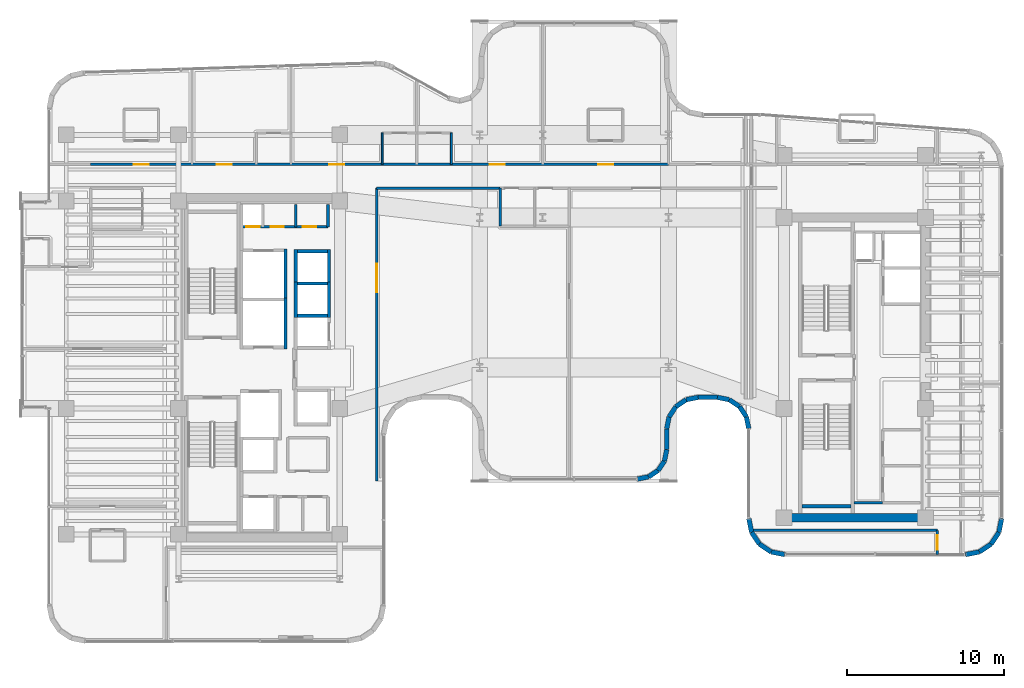
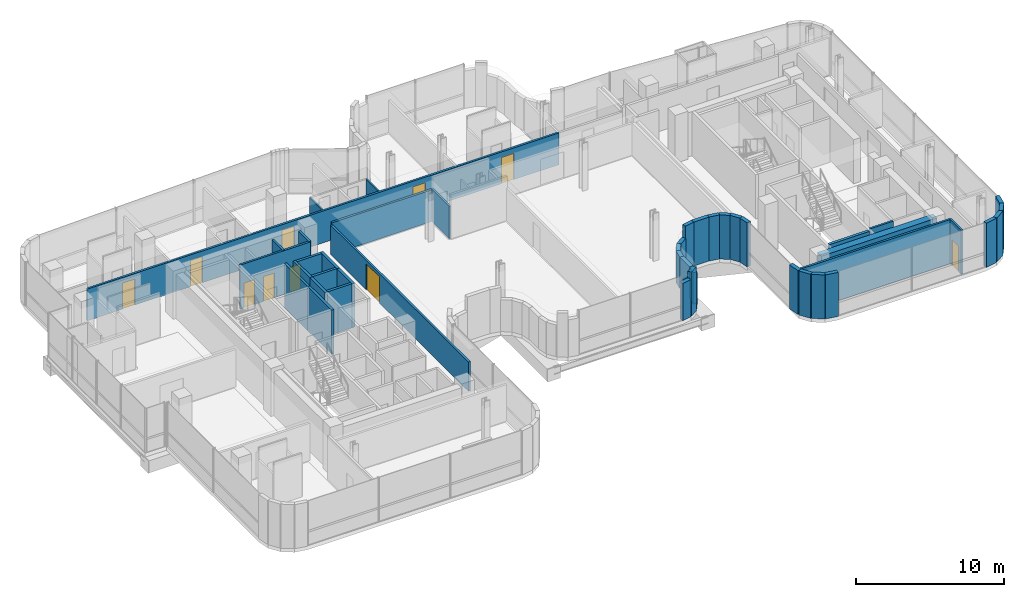
# One storey, part 28 of 36: 45 walls, 10 doors, 10 openings.
"""IFC4 building model written with IfcOpenShell, lengths in metres."""

from ifc_helpers import new_model, si_unit, direction, frame, frame_2d, origin, place, context, subcontext, project, spatial, rectangle, extrude, material, layer, layer_set, type_object, element, fill, save


model = new_model("IFC4")

# Units and contexts
model_context = context("Model", 3, precision=1e-05, world=origin(), true_north=direction((0.0, 1.0)))
body_context = subcontext(model_context, "Body", "Model", "MODEL_VIEW")
ifc_project = project(units=[si_unit("LENGTHUNIT", "METRE"), si_unit("AREAUNIT", "SQUARE_METRE"), si_unit("VOLUMEUNIT", "CUBIC_METRE"), si_unit("PLANEANGLEUNIT", "RADIAN"), si_unit("MASSUNIT", "GRAM", prefix="KILO")], contexts=[model_context])

# Site, building, storey
site_placement = place(None, origin())
site = spatial("IfcSite", under=ifc_project, at=site_placement, CompositionType="ELEMENT")
building_placement = place(site_placement, origin())
building = spatial("IfcBuilding", under=site, at=building_placement, Name="Valdorenza Pilgrim Sanctuary Tower", CompositionType="ELEMENT")
storey_placement = place(building_placement, frame((0.0, 0.0, 176.550048828125)))
storey = spatial("IfcBuildingStorey", under=building, at=storey_placement, Name="L45", CompositionType="ELEMENT", Elevation=176.550048828125)

# Wall, openings, doors
ifc_material_1 = material(Name="Acoustic twin-stud gypsum partition", Category="gypsum")
ifc_layer_1 = layer(ifc_material_1, 0.159912109375, Name="Acoustic twin-stud gypsum partition")
ifc_layer_set_1 = layer_set([ifc_layer_1], Name="Acoustic twin-stud gypsum partition")
wall_type_1 = type_object("IfcWallType", Name="WAL-COR-160", PredefinedType="PARTITIONING", material=ifc_layer_set_1)
wall_1_placement = place(storey_placement, frame((-18.64990234375, 8.949951171875, 0.0), z_axis=(0.0, 0.0, 1.0), x_axis=(1.0, 0.0, 0.0)))
wall_1 = element("IfcWall", 1, at=wall_1_placement, inside=storey, type_object=wall_type_1, Name="L45 Core A North Service South Wall", PredefinedType="PARTITIONING", context=body_context, shape_type="SweptSolid", body=[
    extrude(rectangle(XDim=5.5, YDim=0.159912109375, at=frame_2d((2.75, 0.0))), origin(), (0.0, 0.0, 1.0), 3.6298828125),
])
opening_1_placement = place(wall_1_placement, frame((0.300048828125, 0.0, 0.0)))
opening_1 = element("IfcOpeningElement", 2, at=opening_1_placement, cuts=wall_1, Name="Opening DR-RS1", PredefinedType="OPENING", context=body_context, shape_type="SweptSolid", body=[
    extrude(rectangle(XDim=0.85009765625, YDim=2.050048828125, at=frame_2d((0.425048828125, 1.02490234375))), frame((0.0, 0.0947265625, 0.0), z_axis=(0.0, -1.0, 0.0), x_axis=(1.0, 0.0, 0.0)), (0.0, 0.0, 1.0), 0.189697265625),
])
opening_2_placement = place(wall_1_placement, frame((1.85009765625, 0.0, 0.0)))
opening_2 = element("IfcOpeningElement", 3, at=opening_2_placement, cuts=wall_1, Name="Opening DR-RS1", PredefinedType="OPENING", context=body_context, shape_type="SweptSolid", body=[
    extrude(rectangle(XDim=0.85009765625, YDim=2.050048828125, at=frame_2d((0.425048828125, 1.02490234375))), frame((0.0, 0.0947265625, 0.0), z_axis=(0.0, -1.0, 0.0), x_axis=(1.0, 0.0, 0.0)), (0.0, 0.0, 1.0), 0.189697265625),
])
opening_3_placement = place(wall_1_placement, frame((3.89990234375, 0.0, 0.0)))
opening_3 = element("IfcOpeningElement", 4, at=opening_3_placement, cuts=wall_1, Name="Opening DR-RS1", PredefinedType="OPENING", context=body_context, shape_type="SweptSolid", body=[
    extrude(rectangle(XDim=0.85009765625, YDim=2.050048828125, at=frame_2d((0.425048828125, 1.02490234375))), frame((0.0, 0.0947265625, 0.0), z_axis=(0.0, -1.0, 0.0), x_axis=(1.0, 0.0, 0.0)), (0.0, 0.0, 1.0), 0.189697265625),
])
ifc_material_2 = material(Name="Painted galvanized steel", Category="steel")
door_type_1 = type_object("IfcDoorType", Name="DR-RSR-850", OperationType="NOTDEFINED", PredefinedType="DOOR", material=ifc_material_2)
door_1_placement = place(opening_1_placement, origin())
door_1 = element("IfcDoor", 5, at=door_1_placement, inside=storey, type_object=door_type_1, Name="L45 Core Electrical and Telecom Riser Door", OperationType="SINGLE_SWING_LEFT", OverallHeight=2.050048828125, OverallWidth=0.85009765625, PredefinedType="DOOR", context=body_context, shape_type="SweptSolid", body=[
    extrude(rectangle(XDim=0.85009765625, YDim=2.050048828125, at=frame_2d((0.425048828125, 1.02490234375))), frame((0.0, 0.02490234375, 0.0), z_axis=(0.0, -1.0, 0.0), x_axis=(1.0, 0.0, 0.0)), (0.0, 0.0, 1.0), 0.050048828125),
])
fill(opening_1, door_1)
door_2_placement = place(opening_2_placement, origin())
door_2 = element("IfcDoor", 6, at=door_2_placement, inside=storey, type_object=door_type_1, Name="L45 Housekeeping and Clean Linen Room Door", OperationType="SINGLE_SWING_RIGHT", OverallHeight=2.050048828125, OverallWidth=0.85009765625, PredefinedType="DOOR", context=body_context, shape_type="SweptSolid", body=[
    extrude(rectangle(XDim=0.85009765625, YDim=2.050048828125, at=frame_2d((0.425048828125, 1.02490234375))), frame((0.0, 0.02490234375, 0.0), z_axis=(0.0, -1.0, 0.0), x_axis=(1.0, 0.0, 0.0)), (0.0, 0.0, 1.0), 0.050048828125),
])
fill(opening_2, door_2)
door_3_placement = place(opening_3_placement, origin())
door_3 = element("IfcDoor", 7, at=door_3_placement, inside=storey, type_object=door_type_1, Name="L45 Guest Ice and Vending Pantry Door", OperationType="SINGLE_SWING_LEFT", OverallHeight=2.050048828125, OverallWidth=0.85009765625, PredefinedType="DOOR", context=body_context, shape_type="SweptSolid", body=[
    extrude(rectangle(XDim=0.85009765625, YDim=2.050048828125, at=frame_2d((0.425048828125, 1.02490234375))), frame((0.0, 0.02490234375, 0.0), z_axis=(0.0, -1.0, 0.0), x_axis=(1.0, 0.0, 0.0)), (0.0, 0.0, 1.0), 0.050048828125),
])
fill(opening_3, door_3)

# Walls
for number, where, z_axis, x_axis, name in (
    (8, (-13.14990234375, 8.949951171875, 0.0), (0.0, 0.0, 1.0), (0.0, 1.0, 0.0), "L45 Core A North Service East Wall"),
    (9, (-15.199951171875, 8.949951171875, 0.0), (0.0, 0.0, 1.0), (0.0, 1.0, 0.0), "L45 Core A Housekeeping Split B"),
):
    element("IfcWall", number, at=place(storey_placement, frame(where, z_axis=z_axis, x_axis=x_axis)), inside=storey, type_object=wall_type_1, Name=name, PredefinedType="PARTITIONING", context=body_context, shape_type="SweptSolid", body=[
        extrude(rectangle(XDim=1.429931640625, YDim=0.159912109375, at=frame_2d((0.71484375, 0.0))), origin(), (0.0, 0.0, 1.0), 3.6298828125),
    ])
wall_2_placement = place(storey_placement, frame((20.300048828125, -8.60009765625, 0.0), z_axis=(0.0, 0.0, 1.0), x_axis=(1.0, 0.0, 0.0)))
element("IfcWall", 10, at=wall_2_placement, inside=storey, type_object=wall_type_1, Name="L45 Core B Lift Hall South End Wall", PredefinedType="PARTITIONING", context=body_context, shape_type="SweptSolid", body=[
    extrude(rectangle(XDim=1.820068359375, YDim=0.159912109375, at=frame_2d((0.91015625, 0.0))), origin(), (0.0, 0.0, 1.0), 3.6298828125),
])

# Wall, openings, doors
wall_3_placement = place(storey_placement, frame((-28.25, 12.919921875, 0.0), z_axis=(0.0, 0.0, 1.0), x_axis=(1.0, 0.0, 0.0)))
wall_3 = element("IfcWall", 11, at=wall_3_placement, inside=storey, type_object=wall_type_1, Name="L45 North Corridor Wall", PredefinedType="PARTITIONING", context=body_context, shape_type="SweptSolid", body=[
    extrude(rectangle(XDim=36.75, YDim=0.159912109375, at=frame_2d((18.375, 0.0))), origin(), (0.0, 0.0, 1.0), 2.614990234375),
])
opening_4_placement = place(wall_3_placement, frame((2.75, 0.0, 0.0)))
opening_4 = element("IfcOpeningElement", 12, at=opening_4_placement, cuts=wall_3, Name="Opening DR-UN1", PredefinedType="OPENING", context=body_context, shape_type="SweptSolid", body=[
    extrude(rectangle(XDim=0.949951171875, YDim=2.14990234375, at=frame_2d((0.47509765625, 1.074951171875))), frame((0.0, 0.0947265625, 0.0), z_axis=(0.0, -1.0, 0.0), x_axis=(1.0, 0.0, 0.0)), (0.0, 0.0, 1.0), 0.189697265625),
])
opening_5_placement = place(wall_3_placement, frame((8.02490234375, 0.0, 0.0)))
opening_5 = element("IfcOpeningElement", 13, at=opening_5_placement, cuts=wall_3, Name="Opening DR-UN1", PredefinedType="OPENING", context=body_context, shape_type="SweptSolid", body=[
    extrude(rectangle(XDim=0.949951171875, YDim=2.14990234375, at=frame_2d((0.47509765625, 1.074951171875))), frame((0.0, 0.0947265625, 0.0), z_axis=(0.0, -1.0, 0.0), x_axis=(1.0, 0.0, 0.0)), (0.0, 0.0, 1.0), 0.189697265625),
])
opening_6_placement = place(wall_3_placement, frame((15.175048828125, 0.0, 0.0)))
opening_6 = element("IfcOpeningElement", 14, at=opening_6_placement, cuts=wall_3, Name="Opening DR-UN1", PredefinedType="OPENING", context=body_context, shape_type="SweptSolid", body=[
    extrude(rectangle(XDim=0.949951171875, YDim=2.14990234375, at=frame_2d((0.47509765625, 1.074951171875))), frame((0.0, 0.0947265625, 0.0), z_axis=(0.0, -1.0, 0.0), x_axis=(1.0, 0.0, 0.0)), (0.0, 0.0, 1.0), 0.189697265625),
])
opening_7_placement = place(wall_3_placement, frame((25.375, 0.0, 0.0)))
opening_7 = element("IfcOpeningElement", 15, at=opening_7_placement, cuts=wall_3, Name="Opening DR-UN1", PredefinedType="OPENING", context=body_context, shape_type="SweptSolid", body=[
    extrude(rectangle(XDim=0.949951171875, YDim=2.14990234375, at=frame_2d((0.47509765625, 1.074951171875))), frame((0.0, 0.0947265625, 0.0), z_axis=(0.0, -1.0, 0.0), x_axis=(1.0, 0.0, 0.0)), (0.0, 0.0, 1.0), 0.189697265625),
])
opening_8_placement = place(wall_3_placement, frame((32.27490234375, 0.0, 0.0)))
opening_8 = element("IfcOpeningElement", 16, at=opening_8_placement, cuts=wall_3, Name="Opening DR-UN1", PredefinedType="OPENING", context=body_context, shape_type="SweptSolid", body=[
    extrude(rectangle(XDim=0.949951171875, YDim=2.14990234375, at=frame_2d((0.47509765625, 1.074951171875))), frame((0.0, 0.0947265625, 0.0), z_axis=(0.0, -1.0, 0.0), x_axis=(1.0, 0.0, 0.0)), (0.0, 0.0, 1.0), 0.189697265625),
])
ifc_material_3 = material(Name="Solid-core European oak timber", Category="wood")
door_type_2 = type_object("IfcDoorType", Name="DR-UNIT-950", OperationType="NOTDEFINED", PredefinedType="DOOR", material=ifc_material_3)
door_4_placement = place(opening_4_placement, frame((0.949951171875, 0.0, 0.0), z_axis=(0.0, 0.0, 1.0), x_axis=(-1.0, 0.0, 0.0)))
door_4 = element("IfcDoor", 17, at=door_4_placement, inside=storey, type_object=door_type_2, Name="L45 North Guest Room L45-N1 Entrance Door", OperationType="SINGLE_SWING_LEFT", OverallHeight=2.14990234375, OverallWidth=0.949951171875, PredefinedType="DOOR", context=body_context, shape_type="SweptSolid", body=[
    extrude(rectangle(XDim=0.949951171875, YDim=2.14990234375, at=frame_2d((0.47509765625, 1.074951171875))), frame((0.0, 0.02490234375, 0.0), z_axis=(0.0, -1.0, 0.0), x_axis=(1.0, 0.0, 0.0)), (0.0, 0.0, 1.0), 0.050048828125),
])
fill(opening_4, door_4)
door_5_placement = place(opening_5_placement, frame((0.949951171875, 0.0, 0.0), z_axis=(0.0, 0.0, 1.0), x_axis=(-1.0, 0.0, 0.0)))
door_5 = element("IfcDoor", 18, at=door_5_placement, inside=storey, type_object=door_type_2, Name="L45 North Guest Room L45-N2 Entrance Door", OperationType="SINGLE_SWING_LEFT", OverallHeight=2.14990234375, OverallWidth=0.949951171875, PredefinedType="DOOR", context=body_context, shape_type="SweptSolid", body=[
    extrude(rectangle(XDim=0.949951171875, YDim=2.14990234375, at=frame_2d((0.47509765625, 1.074951171875))), frame((0.0, 0.02490234375, 0.0), z_axis=(0.0, -1.0, 0.0), x_axis=(1.0, 0.0, 0.0)), (0.0, 0.0, 1.0), 0.050048828125),
])
fill(opening_5, door_5)
door_6_placement = place(opening_6_placement, frame((0.949951171875, 0.0, 0.0), z_axis=(0.0, 0.0, 1.0), x_axis=(-1.0, 0.0, 0.0)))
door_6 = element("IfcDoor", 19, at=door_6_placement, inside=storey, type_object=door_type_2, Name="L45 North Guest Room L45-N3 Entrance Door", OperationType="SINGLE_SWING_LEFT", OverallHeight=2.14990234375, OverallWidth=0.949951171875, PredefinedType="DOOR", context=body_context, shape_type="SweptSolid", body=[
    extrude(rectangle(XDim=0.949951171875, YDim=2.14990234375, at=frame_2d((0.47509765625, 1.074951171875))), frame((0.0, 0.02490234375, 0.0), z_axis=(0.0, -1.0, 0.0), x_axis=(1.0, 0.0, 0.0)), (0.0, 0.0, 1.0), 0.050048828125),
])
fill(opening_6, door_6)
door_7_placement = place(opening_7_placement, frame((0.949951171875, 0.0, 0.0), z_axis=(0.0, 0.0, 1.0), x_axis=(-1.0, 0.0, 0.0)))
door_7 = element("IfcDoor", 20, at=door_7_placement, inside=storey, type_object=door_type_2, Name="L45 North Guest Room L45-N4 Entrance Door", OperationType="SINGLE_SWING_LEFT", OverallHeight=2.14990234375, OverallWidth=0.949951171875, PredefinedType="DOOR", context=body_context, shape_type="SweptSolid", body=[
    extrude(rectangle(XDim=0.949951171875, YDim=2.14990234375, at=frame_2d((0.47509765625, 1.074951171875))), frame((0.0, 0.02490234375, 0.0), z_axis=(0.0, -1.0, 0.0), x_axis=(1.0, 0.0, 0.0)), (0.0, 0.0, 1.0), 0.050048828125),
])
fill(opening_7, door_7)
door_8_placement = place(opening_8_placement, frame((0.949951171875, 0.0, 0.0), z_axis=(0.0, 0.0, 1.0), x_axis=(-1.0, 0.0, 0.0)))
door_8 = element("IfcDoor", 21, at=door_8_placement, inside=storey, type_object=door_type_2, Name="L45 North Guest Room L45-N5 Entrance Door", OperationType="SINGLE_SWING_LEFT", OverallHeight=2.14990234375, OverallWidth=0.949951171875, PredefinedType="DOOR", context=body_context, shape_type="SweptSolid", body=[
    extrude(rectangle(XDim=0.949951171875, YDim=2.14990234375, at=frame_2d((0.47509765625, 1.074951171875))), frame((0.0, 0.02490234375, 0.0), z_axis=(0.0, -1.0, 0.0), x_axis=(1.0, 0.0, 0.0)), (0.0, 0.0, 1.0), 0.050048828125),
])
fill(opening_8, door_8)

# Wall, opening, door
wall_4_placement = place(storey_placement, frame((-10.050048828125, -7.199951171875, 0.0), z_axis=(0.0, 0.0, 1.0), x_axis=(0.0, 1.0, 0.0)))
wall_4 = element("IfcWall", 22, at=wall_4_placement, inside=storey, type_object=wall_type_1, Name="L45 Prayer Bar West Wall", PredefinedType="PARTITIONING", context=body_context, shape_type="SweptSolid", body=[
    extrude(rectangle(XDim=18.619873046875, YDim=0.159912109375, at=frame_2d((9.31005859375, 0.0))), origin(), (0.0, 0.0, 1.0), 2.4150390625),
])
opening_9_placement = place(wall_4_placement, frame((12.0, 0.0, 0.0)))
opening_9 = element("IfcOpeningElement", 23, at=opening_9_placement, cuts=wall_4, Name="Opening DR-HL1", PredefinedType="OPENING", context=body_context, shape_type="SweptSolid", body=[
    extrude(rectangle(XDim=1.800048828125, YDim=2.14990234375, at=frame_2d((0.89990234375, 1.074951171875))), frame((0.0, 0.0947265625, 0.0), z_axis=(0.0, -1.0, 0.0), x_axis=(1.0, 0.0, 0.0)), (0.0, 0.0, 1.0), 0.189697265625),
])
ifc_material_4 = material(Name="Acoustic oak and vision-glass double door", Category="glass")
door_type_3 = type_object("IfcDoorType", Name="DR-HALL-1800", OperationType="NOTDEFINED", PredefinedType="DOOR", material=ifc_material_4)
door_9_placement = place(opening_9_placement, frame((1.800048828125, 0.0, 0.0), z_axis=(0.0, 0.0, 1.0), x_axis=(-1.0, 0.0, 0.0)))
door_9 = element("IfcDoor", 24, at=door_9_placement, inside=storey, type_object=door_type_3, Name="L45 Congregational Prayer Hall West Door", OperationType="DOUBLE_DOOR_SINGLE_SWING", OverallHeight=2.14990234375, OverallWidth=1.800048828125, PredefinedType="DOOR", context=body_context, shape_type="SweptSolid", body=[
    extrude(rectangle(XDim=1.800048828125, YDim=2.14990234375, at=frame_2d((0.89990234375, 1.074951171875))), frame((0.0, 0.02490234375, 0.0), z_axis=(0.0, -1.0, 0.0), x_axis=(1.0, 0.0, 0.0)), (0.0, 0.0, 1.0), 0.050048828125),
])
fill(opening_9, door_9)

# Walls
wall_5_placement = place(storey_placement, frame((-10.050048828125, 11.419921875, 0.0), z_axis=(0.0, 0.0, 1.0), x_axis=(1.0, 0.0, 0.0)))
element("IfcWall", 25, at=wall_5_placement, inside=storey, type_object=wall_type_1, Name="L45 Prayer Hall North-West Corridor Wall", PredefinedType="PARTITIONING", context=body_context, shape_type="SweptSolid", body=[
    extrude(rectangle(XDim=7.85009765625, YDim=0.159912109375, at=frame_2d((3.925048828125, 0.0))), origin(), (0.0, 0.0, 1.0), 2.614990234375),
])
wall_6_placement = place(storey_placement, frame((-2.199951171875, 9.0, 0.0), z_axis=(0.0, 0.0, 1.0), x_axis=(0.0, 1.0, 0.0)))
element("IfcWall", 26, at=wall_6_placement, inside=storey, type_object=wall_type_1, Name="L45 Washroom West Wall", PredefinedType="PARTITIONING", context=body_context, shape_type="SweptSolid", body=[
    extrude(rectangle(XDim=2.419921875, YDim=0.159912109375, at=frame_2d((1.2099609375, 0.0))), origin(), (0.0, 0.0, 1.0), 2.6650390625),
])

# Wall, opening, door
wall_7_placement = place(storey_placement, frame((25.60009765625, -11.889892578125, 0.0), z_axis=(0.0, 0.0, 1.0), x_axis=(0.0, 1.0, 0.0)))
wall_7 = element("IfcWall", 27, at=wall_7_placement, inside=storey, type_object=wall_type_1, Name="L45 Wing B South-East Wall", PredefinedType="PARTITIONING", context=body_context, shape_type="SweptSolid", body=[
    extrude(rectangle(XDim=1.539794921875, YDim=0.159912109375, at=frame_2d((0.77001953125, 0.0))), origin(), (0.0, 0.0, 1.0), 3.6298828125),
])
opening_10_placement = place(wall_7_placement, frame((0.320068359375, 0.0, 0.0)))
opening_10 = element("IfcOpeningElement", 28, at=opening_10_placement, cuts=wall_7, Name="Opening DR-RM1", PredefinedType="OPENING", context=body_context, shape_type="SweptSolid", body=[
    extrude(rectangle(XDim=0.89990234375, YDim=2.10009765625, at=frame_2d((0.449951171875, 1.050048828125))), frame((0.0, 0.0947265625, 0.0), z_axis=(0.0, -1.0, 0.0), x_axis=(1.0, 0.0, 0.0)), (0.0, 0.0, 1.0), 0.189697265625),
])
door_type_4 = type_object("IfcDoorType", Name="DR-ROOM-900", OperationType="NOTDEFINED", PredefinedType="DOOR", material=ifc_material_3)
door_10_placement = place(opening_10_placement, frame((0.89990234375, 0.0, 0.0), z_axis=(0.0, 0.0, 1.0), x_axis=(-1.0, 0.0, 0.0)))
door_10 = element("IfcDoor", 29, at=door_10_placement, inside=storey, type_object=door_type_4, Name="L45 Sacred Manuscript Archive L45-BS Door", OperationType="SINGLE_SWING_LEFT", OverallHeight=2.10009765625, OverallWidth=0.89990234375, PredefinedType="DOOR", context=body_context, shape_type="SweptSolid", body=[
    extrude(rectangle(XDim=0.89990234375, YDim=2.10009765625, at=frame_2d((0.449951171875, 1.050048828125))), frame((0.0, 0.02490234375, 0.0), z_axis=(0.0, -1.0, 0.0), x_axis=(1.0, 0.0, 0.0)), (0.0, 0.0, 1.0), 0.050048828125),
])
fill(opening_10, door_10)

# Walls
wall_8_placement = place(storey_placement, frame((13.888916015625, -10.35009765625, 0.0), z_axis=(0.0, 0.0, 1.0), x_axis=(1.0, 0.0, 0.0)))
element("IfcWall", 30, at=wall_8_placement, inside=storey, type_object=wall_type_1, Name="L45 Wing B South Closure", PredefinedType="PARTITIONING", context=body_context, shape_type="SweptSolid", body=[
    extrude(rectangle(XDim=11.711181640625, YDim=0.159912109375, at=frame_2d((5.85546875, 0.0))), origin(), (0.0, 0.0, 1.0), 3.6298828125),
])
ifc_material_5 = material(Name="Concrete C50/60", Category="concrete")
ifc_layer_2 = layer(ifc_material_5, 0.550048828125, Name="Concrete C50/60")
ifc_layer_set_2 = layer_set([ifc_layer_2], Name="Concrete C50/60")
wall_type_2 = type_object("IfcWallType", Name="WAL-COR-550", PredefinedType="SHEAR", material=ifc_layer_set_2)
wall_9_placement = place(storey_placement, frame((15.85009765625, -9.550048828125, 0.0), z_axis=(0.0, 0.0, 1.0), x_axis=(1.0, 0.0, 0.0)))
element("IfcWall", 31, at=wall_9_placement, inside=storey, type_object=wall_type_2, Name="L45 Split Core B Shear Wall S", PredefinedType="SHEAR", context=body_context, shape_type="SweptSolid", body=[
    extrude(rectangle(XDim=9.0, YDim=0.550048828125, at=frame_2d((4.5, 0.0))), origin(), (0.0, 0.0, 1.0), 3.6298828125),
])
ifc_material_6 = material(Name="Honed travertine limestone", Category="masonry")
ifc_layer_3 = layer(ifc_material_6, 0.300048828125, Name="Honed travertine limestone")
ifc_layer_set_3 = layer_set([ifc_layer_3], Name="Honed travertine limestone")
wall_type_3 = type_object("IfcWallType", Name="WAL-EXT-300", PredefinedType="SOLIDWALL", material=ifc_layer_set_3)
wall_10_placement = place(storey_placement, frame((29.68994140625, -9.589111328125, 0.0), z_axis=(0.0, 0.0, 1.0), x_axis=(-0.195025152871, -0.980798241101, 0.0)))
element("IfcWall", 32, at=wall_10_placement, inside=storey, type_object=wall_type_3, Name="L45 Rounded Wind-Corner Stone Pier 38", PredefinedType="SOLIDWALL", context=body_context, shape_type="SweptSolid", body=[
    extrude(rectangle(XDim=0.90380859375, YDim=0.300048828125, at=frame_2d((0.451904296875, 0.0))), origin(), (0.0, 0.0, 1.0), 3.6298828125),
])
wall_11_placement = place(storey_placement, frame((29.513671875, -10.4755859375, 0.0), z_axis=(0.0, 0.0, 1.0), x_axis=(-0.555520488502, -0.831502848374, 0.0)))
element("IfcWall", 33, at=wall_11_placement, inside=storey, type_object=wall_type_3, Name="L45 Rounded Wind-Corner Stone Pier 39", PredefinedType="SOLIDWALL", context=body_context, shape_type="SweptSolid", body=[
    extrude(rectangle(XDim=0.892578125, YDim=0.300048828125, at=frame_2d((0.4462890625, 0.0))), origin(), (0.0, 0.0, 1.0), 3.6298828125),
])
wall_12_placement = place(storey_placement, frame((29.017822265625, -11.2177734375, 0.0), z_axis=(0.0, 0.0, 1.0), x_axis=(-0.83158722889, -0.555394167009, 0.0)))
element("IfcWall", 34, at=wall_12_placement, inside=storey, type_object=wall_type_3, Name="L45 Rounded Wind-Corner Stone Pier 40", PredefinedType="SOLIDWALL", context=body_context, shape_type="SweptSolid", body=[
    extrude(rectangle(XDim=0.892822265625, YDim=0.300048828125, at=frame_2d((0.4462890625, 0.0))), origin(), (0.0, 0.0, 1.0), 3.6298828125),
])
wall_13_placement = place(storey_placement, frame((28.275390625, -11.713623046875, 0.0), z_axis=(0.0, 0.0, 1.0), x_axis=(-0.980787963133, -0.19507683454, 0.0)))
element("IfcWall", 35, at=wall_13_placement, inside=storey, type_object=wall_type_3, Name="L45 Rounded Wind-Corner Stone Pier 41", PredefinedType="SOLIDWALL", context=body_context, shape_type="SweptSolid", body=[
    extrude(rectangle(XDim=0.903564453125, YDim=0.300048828125, at=frame_2d((0.45166015625, 0.0))), origin(), (0.0, 0.0, 1.0), 3.6298828125),
])
wall_14_placement = place(storey_placement, frame((15.910888671875, -11.889892578125, 0.0), z_axis=(0.0, 0.0, 1.0), x_axis=(-0.980798241101, 0.195025152871, 0.0)))
element("IfcWall", 36, at=wall_14_placement, inside=storey, type_object=wall_type_3, Name="L45 Rounded Wind-Corner Stone Pier 43", PredefinedType="SOLIDWALL", context=body_context, shape_type="SweptSolid", body=[
    extrude(rectangle(XDim=0.90380859375, YDim=0.300048828125, at=frame_2d((0.451904296875, 0.0))), origin(), (0.0, 0.0, 1.0), 3.6298828125),
])
for number, where, z_axis, x_axis, name in (
    (37, (15.0244140625, -11.713623046875, 0.0), (0.0, 0.0, 1.0), (-0.831502848374, 0.555520488502, 0.0), "L45 Rounded Wind-Corner Stone Pier 44"),
    (38, (14.2822265625, -11.2177734375, 0.0), (0.0, 0.0, 1.0), (-0.555520488502, 0.831502848374, 0.0), "L45 Rounded Wind-Corner Stone Pier 45"),
):
    element("IfcWall", number, at=place(storey_placement, frame(where, z_axis=z_axis, x_axis=x_axis)), inside=storey, type_object=wall_type_3, Name=name, PredefinedType="SOLIDWALL", context=body_context, shape_type="SweptSolid", body=[
        extrude(rectangle(XDim=0.892578125, YDim=0.300048828125, at=frame_2d((0.4462890625, 0.0))), origin(), (0.0, 0.0, 1.0), 3.6298828125),
    ])
wall_15_placement = place(storey_placement, frame((13.786376953125, -10.4755859375, 0.0), z_axis=(0.0, 0.0, 1.0), x_axis=(-0.195025152871, 0.980798241101, 0.0)))
element("IfcWall", 39, at=wall_15_placement, inside=storey, type_object=wall_type_3, Name="L45 Rounded Wind-Corner Stone Pier 46", PredefinedType="SOLIDWALL", context=body_context, shape_type="SweptSolid", body=[
    extrude(rectangle(XDim=0.90380859375, YDim=0.300048828125, at=frame_2d((0.451904296875, 0.0))), origin(), (0.0, 0.0, 1.0), 3.6298828125),
])
wall_16_placement = place(storey_placement, frame((13.610107421875, -3.88916015625, 0.0), z_axis=(0.0, 0.0, 1.0), x_axis=(-0.195206365311, 0.98076219082, 0.0)))
element("IfcWall", 40, at=wall_16_placement, inside=storey, type_object=wall_type_3, Name="L45 Rounded Wind-Corner Stone Pier 48", PredefinedType="SOLIDWALL", context=body_context, shape_type="SweptSolid", body=[
    extrude(rectangle(XDim=0.774169921875, YDim=0.300048828125, at=frame_2d((0.38720703125, 0.0))), origin(), (0.0, 0.0, 1.0), 3.6298828125),
])
for number, where, z_axis, x_axis, name in (
    (41, (13.458984375, -3.1298828125, 0.0), (0.0, 0.0, 1.0), (-0.555776307766, 0.831331880615, 0.0), "L45 Rounded Wind-Corner Stone Pier 49"),
    (42, (13.022705078125, -2.477294921875, 0.0), (0.0, 0.0, 1.0), (-0.831331880615, 0.555776307766, 0.0), "L45 Rounded Wind-Corner Stone Pier 50"),
):
    element("IfcWall", number, at=place(storey_placement, frame(where, z_axis=z_axis, x_axis=x_axis)), inside=storey, type_object=wall_type_3, Name=name, PredefinedType="SOLIDWALL", context=body_context, shape_type="SweptSolid", body=[
        extrude(rectangle(XDim=0.784912109375, YDim=0.300048828125, at=frame_2d((0.392578125, 0.0))), origin(), (0.0, 0.0, 1.0), 3.6298828125),
    ])
wall_17_placement = place(storey_placement, frame((12.3701171875, -2.041015625, 0.0), z_axis=(0.0, 0.0, 1.0), x_axis=(-0.98076219082, 0.195206365311, 0.0)))
element("IfcWall", 43, at=wall_17_placement, inside=storey, type_object=wall_type_3, Name="L45 Rounded Wind-Corner Stone Pier 51", PredefinedType="SOLIDWALL", context=body_context, shape_type="SweptSolid", body=[
    extrude(rectangle(XDim=0.774169921875, YDim=0.300048828125, at=frame_2d((0.38720703125, 0.0))), origin(), (0.0, 0.0, 1.0), 3.6298828125),
])
wall_18_placement = place(storey_placement, frame((11.61083984375, -1.889892578125, 0.0), z_axis=(0.0, 0.0, 1.0), x_axis=(-1.0, 0.0, 0.0)))
element("IfcWall", 44, at=wall_18_placement, inside=storey, type_object=wall_type_3, Name="L45 Rounded Wind-Corner Stone Pier 52", PredefinedType="SOLIDWALL", context=body_context, shape_type="SweptSolid", body=[
    extrude(rectangle(XDim=1.2216796875, YDim=0.300048828125, at=frame_2d((0.61083984375, 0.0))), origin(), (0.0, 0.0, 1.0), 3.6298828125),
])
wall_19_placement = place(storey_placement, frame((10.38916015625, -1.889892578125, 0.0), z_axis=(0.0, 0.0, 1.0), x_axis=(-0.98076219082, -0.195206365311, 0.0)))
element("IfcWall", 45, at=wall_19_placement, inside=storey, type_object=wall_type_3, Name="L45 Rounded Wind-Corner Stone Pier 53", PredefinedType="SOLIDWALL", context=body_context, shape_type="SweptSolid", body=[
    extrude(rectangle(XDim=0.774169921875, YDim=0.300048828125, at=frame_2d((0.38720703125, 0.0))), origin(), (0.0, 0.0, 1.0), 3.6298828125),
])
for number, where, z_axis, x_axis, name in (
    (46, (9.6298828125, -2.041015625, 0.0), (0.0, 0.0, 1.0), (-0.831331880615, -0.555776307766, 0.0), "L45 Rounded Wind-Corner Stone Pier 54"),
    (47, (8.977294921875, -2.477294921875, 0.0), (0.0, 0.0, 1.0), (-0.555776307766, -0.831331880615, 0.0), "L45 Rounded Wind-Corner Stone Pier 55"),
):
    element("IfcWall", number, at=place(storey_placement, frame(where, z_axis=z_axis, x_axis=x_axis)), inside=storey, type_object=wall_type_3, Name=name, PredefinedType="SOLIDWALL", context=body_context, shape_type="SweptSolid", body=[
        extrude(rectangle(XDim=0.784912109375, YDim=0.300048828125, at=frame_2d((0.392578125, 0.0))), origin(), (0.0, 0.0, 1.0), 2.614990234375),
    ])
wall_20_placement = place(storey_placement, frame((8.541015625, -3.1298828125, 0.0), z_axis=(0.0, 0.0, 1.0), x_axis=(-0.195206365311, -0.98076219082, 0.0)))
element("IfcWall", 48, at=wall_20_placement, inside=storey, type_object=wall_type_3, Name="L45 Rounded Wind-Corner Stone Pier 56", PredefinedType="SOLIDWALL", context=body_context, shape_type="SweptSolid", body=[
    extrude(rectangle(XDim=0.774169921875, YDim=0.300048828125, at=frame_2d((0.38720703125, 0.0))), origin(), (0.0, 0.0, 1.0), 2.614990234375),
])
wall_21_placement = place(storey_placement, frame((8.389892578125, -3.88916015625, 0.0), z_axis=(0.0, 0.0, 1.0), x_axis=(0.0, -1.0, 0.0)))
element("IfcWall", 49, at=wall_21_placement, inside=storey, type_object=wall_type_3, Name="L45 Rounded Wind-Corner Stone Pier 57", PredefinedType="SOLIDWALL", context=body_context, shape_type="SweptSolid", body=[
    extrude(rectangle(XDim=1.323974609375, YDim=0.300048828125, at=frame_2d((0.662109375, 0.0))), origin(), (0.0, 0.0, 1.0), 2.614990234375),
])
wall_22_placement = place(storey_placement, frame((8.389892578125, -5.213134765625, 0.0), z_axis=(0.0, 0.0, 1.0), x_axis=(-0.194780446724, -0.980846867546, 0.0)))
element("IfcWall", 50, at=wall_22_placement, inside=storey, type_object=wall_type_3, Name="L45 Rounded Wind-Corner Stone Pier 58", PredefinedType="SOLIDWALL", context=body_context, shape_type="SweptSolid", body=[
    extrude(rectangle(XDim=0.73828125, YDim=0.300048828125, at=frame_2d((0.369140625, 0.0))), origin(), (0.0, 0.0, 1.0), 2.614990234375),
])
wall_23_placement = place(storey_placement, frame((8.24609375, -5.937255859375, 0.0), z_axis=(0.0, 0.0, 1.0), x_axis=(-0.555784030735, -0.83132671747, 0.0)))
element("IfcWall", 51, at=wall_23_placement, inside=storey, type_object=wall_type_3, Name="L45 Rounded Wind-Corner Stone Pier 59", PredefinedType="SOLIDWALL", context=body_context, shape_type="SweptSolid", body=[
    extrude(rectangle(XDim=0.7275390625, YDim=0.300048828125, at=frame_2d((0.36376953125, 0.0))), origin(), (0.0, 0.0, 1.0), 2.614990234375),
])
wall_24_placement = place(storey_placement, frame((7.841796875, -6.5419921875, 0.0), z_axis=(0.0, 0.0, 1.0), x_axis=(-0.831378135196, -0.555707113792, 0.0)))
element("IfcWall", 52, at=wall_24_placement, inside=storey, type_object=wall_type_3, Name="L45 Rounded Wind-Corner Stone Pier 60", PredefinedType="SOLIDWALL", context=body_context, shape_type="SweptSolid", body=[
    extrude(rectangle(XDim=0.72705078125, YDim=0.300048828125, at=frame_2d((0.363525390625, 0.0))), origin(), (0.0, 0.0, 1.0), 3.6298828125),
])
wall_25_placement = place(storey_placement, frame((7.2373046875, -6.946044921875, 0.0), z_axis=(0.0, 0.0, 1.0), x_axis=(-0.980783640462, -0.195098566376, 0.0)))
element("IfcWall", 53, at=wall_25_placement, inside=storey, type_object=wall_type_3, Name="L45 Rounded Wind-Corner Stone Pier 61", PredefinedType="SOLIDWALL", context=body_context, shape_type="SweptSolid", body=[
    extrude(rectangle(XDim=0.73828125, YDim=0.300048828125, at=frame_2d((0.369140625, 0.0))), origin(), (0.0, 0.0, 1.0), 3.075927734375),
])
ifc_material_7 = material(Name="Moisture-resistant gypsum partition", Category="gypsum")
ifc_layer_4 = layer(ifc_material_7, 0.1201171875, Name="Moisture-resistant gypsum partition")
ifc_layer_set_4 = layer_set([ifc_layer_4], Name="Moisture-resistant gypsum partition")
wall_type_4 = type_object("IfcWallType", Name="WAL-INT-120", PredefinedType="PARTITIONING", material=ifc_layer_set_4)
for number, where, z_axis, x_axis, name in (
    (54, (-9.699951171875, 12.919921875, 0.0), (0.0, 0.0, 1.0), (0.0, 1.0, 0.0), "L45 North Guest Room L45-N3 En-suite West Wall"),
    (55, (-5.300048828125, 12.919921875, 0.0), (0.0, 0.0, 1.0), (0.0, 1.0, 0.0), "L45 North Guest Room L45-N4 En-suite East Wall"),
):
    element("IfcWall", number, at=place(storey_placement, frame(where, z_axis=z_axis, x_axis=x_axis)), inside=storey, type_object=wall_type_4, Name=name, PredefinedType="PARTITIONING", context=body_context, shape_type="SweptSolid", body=[
        extrude(rectangle(XDim=2.0, YDim=0.1201171875, at=frame_2d((1.0, 0.0))), origin(), (0.0, 0.0, 1.0), 2.4150390625),
    ])
ifc_material_8 = material(Name="Autoclaved aerated concrete blockwork", Category="masonry")
ifc_layer_5 = layer(ifc_material_8, 0.199951171875, Name="Autoclaved aerated concrete blockwork")
ifc_layer_set_5 = layer_set([ifc_layer_5], Name="Autoclaved aerated concrete blockwork")
wall_type_5 = type_object("IfcWallType", Name="WAL-SHF-200", PredefinedType="MOVABLE", material=ifc_layer_set_5)
wall_26_placement = place(storey_placement, frame((-15.85009765625, 1.199951171875, 0.0), z_axis=(0.0, 0.0, 1.0), x_axis=(0.0, 1.0, 0.0)))
element("IfcWall", 56, at=wall_26_placement, inside=storey, type_object=wall_type_5, Name="L45 Lift FFL-01 Hoistway Wall East", PredefinedType="MOVABLE", context=body_context, shape_type="SweptSolid", body=[
    extrude(rectangle(XDim=3.22509765625, YDim=0.199951171875, at=frame_2d((1.612548828125, 0.0))), origin(), (0.0, 0.0, 1.0), 3.6298828125),
])
wall_27_placement = place(storey_placement, frame((-15.85009765625, 4.22509765625, 0.0), z_axis=(0.0, 0.0, 1.0), x_axis=(0.0, 1.0, 0.0)))
element("IfcWall", 57, at=wall_27_placement, inside=storey, type_object=wall_type_5, Name="L45 Lift SVL-01 Hoistway Wall East", PredefinedType="MOVABLE", context=body_context, shape_type="SweptSolid", body=[
    extrude(rectangle(XDim=3.324951171875, YDim=0.199951171875, at=frame_2d((1.66259765625, 0.0))), origin(), (0.0, 0.0, 1.0), 3.6298828125),
])
for number, where, z_axis, x_axis, name in (
    (58, (-15.199951171875, 3.199951171875, 0.0), (0.0, 0.0, 1.0), (0.0, 1.0, 0.0), "L45 Lift PL-09 Hoistway Wall West"),
    (59, (-13.080078125, 3.199951171875, 0.0), (0.0, 0.0, 1.0), (0.0, 1.0, 0.0), "L45 Lift PL-09 Hoistway Wall East"),
):
    element("IfcWall", number, at=place(storey_placement, frame(where, z_axis=z_axis, x_axis=x_axis)), inside=storey, type_object=wall_type_5, Name=name, PredefinedType="MOVABLE", context=body_context, shape_type="SweptSolid", body=[
        extrude(rectangle(XDim=2.25, YDim=0.199951171875, at=frame_2d((1.125, 0.0))), origin(), (0.0, 0.0, 1.0), 3.6298828125),
    ])
for number, where, z_axis, x_axis, name in (
    (60, (-15.10009765625, 3.300048828125, 0.0), (0.0, 0.0, 1.0), (1.0, 0.0, 0.0), "L45 Lift PL-09 Hoistway Wall South"),
    (61, (-15.10009765625, 5.35009765625, 0.0), (0.0, 0.0, 1.0), (1.0, 0.0, 0.0), "L45 Lift PL-09 Hoistway Wall North"),
):
    element("IfcWall", number, at=place(storey_placement, frame(where, z_axis=z_axis, x_axis=x_axis)), inside=storey, type_object=wall_type_5, Name=name, PredefinedType="MOVABLE", context=body_context, shape_type="SweptSolid", body=[
        extrude(rectangle(XDim=1.920166015625, YDim=0.199951171875, at=frame_2d((0.9599609375, 0.0))), origin(), (0.0, 0.0, 1.0), 3.6298828125),
    ])
for number, where, z_axis, x_axis, name in (
    (62, (-15.199951171875, 5.25, 0.0), (0.0, 0.0, 1.0), (0.0, 1.0, 0.0), "L45 Lift PL-10 Hoistway Wall West"),
    (63, (-13.080078125, 5.25, 0.0), (0.0, 0.0, 1.0), (0.0, 1.0, 0.0), "L45 Lift PL-10 Hoistway Wall East"),
):
    element("IfcWall", number, at=place(storey_placement, frame(where, z_axis=z_axis, x_axis=x_axis)), inside=storey, type_object=wall_type_5, Name=name, PredefinedType="MOVABLE", context=body_context, shape_type="SweptSolid", body=[
        extrude(rectangle(XDim=2.25, YDim=0.199951171875, at=frame_2d((1.125, 0.0))), origin(), (0.0, 0.0, 1.0), 3.6298828125),
    ])
wall_28_placement = place(storey_placement, frame((-15.10009765625, 7.39990234375, 0.0), z_axis=(0.0, 0.0, 1.0), x_axis=(1.0, 0.0, 0.0)))
element("IfcWall", 64, at=wall_28_placement, inside=storey, type_object=wall_type_5, Name="L45 Lift PL-10 Hoistway Wall North", PredefinedType="MOVABLE", context=body_context, shape_type="SweptSolid", body=[
    extrude(rectangle(XDim=1.920166015625, YDim=0.199951171875, at=frame_2d((0.9599609375, 0.0))), origin(), (0.0, 0.0, 1.0), 3.6298828125),
])
ifc_material_9 = material(Name="Concrete C40/50", Category="concrete")
ifc_layer_6 = layer(ifc_material_9, 0.219970703125, Name="Concrete C40/50")
ifc_layer_set_6 = layer_set([ifc_layer_6], Name="Concrete C40/50")
wall_type_6 = type_object("IfcWallType", Name="WAL-STR-SHF-220", PredefinedType="SHEAR", material=ifc_layer_set_6)
wall_29_placement = place(storey_placement, frame((17.0, -8.81005859375, 0.0), z_axis=(0.0, 0.0, 1.0), x_axis=(1.0, 0.0, 0.0)))
element("IfcWall", 65, at=wall_29_placement, inside=storey, type_object=wall_type_6, Name="L45 ST-B2 Structural Stairwell Wall S", PredefinedType="SHEAR", context=body_context, shape_type="SweptSolid", body=[
    extrude(rectangle(XDim=3.110107421875, YDim=0.219970703125, at=frame_2d((1.55517578125, 0.0))), origin(), (0.0, 0.0, 1.0), 3.6298828125),
])

save(model, "model.ifc")
